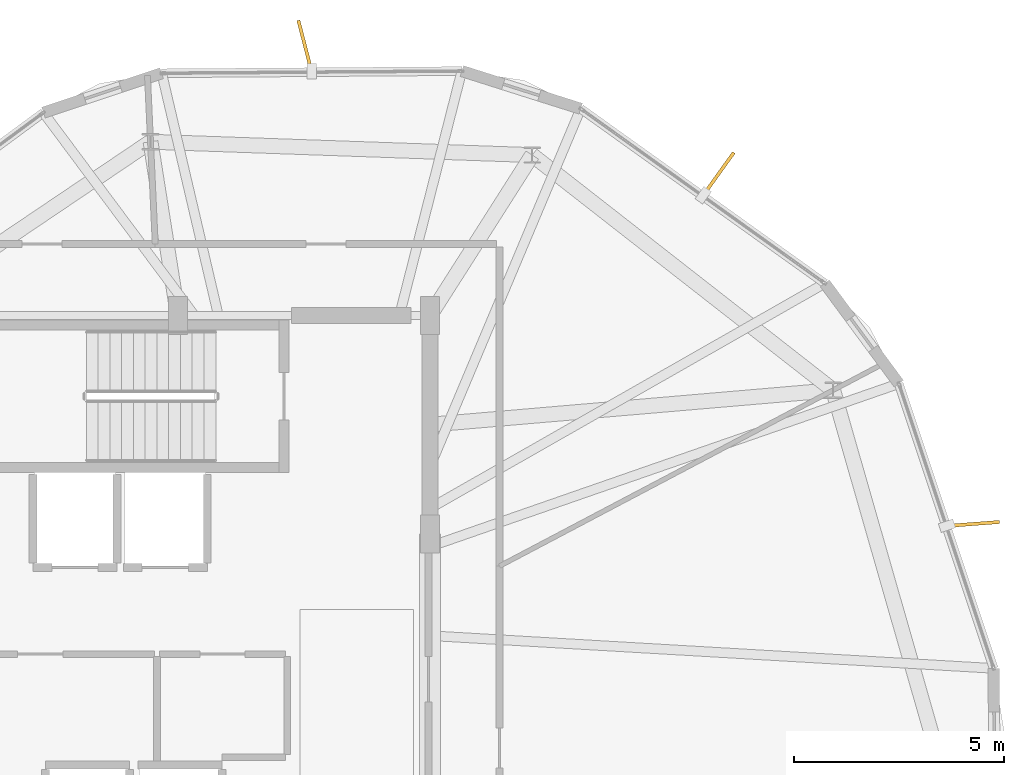
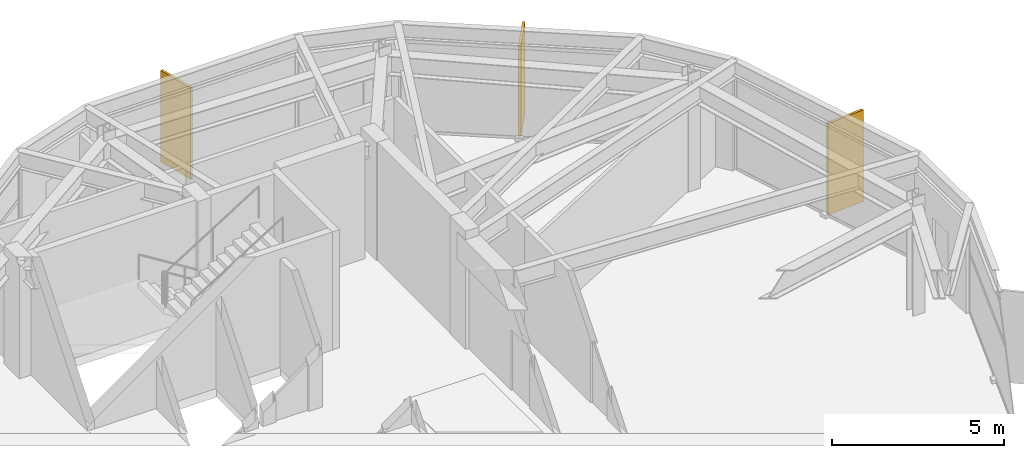
# One storey, part 22 of 22: 3 shading devices.
"""IFC4 building model written with IfcOpenShell, lengths in metres."""

from ifc_helpers import new_model, si_unit, direction, frame, origin, origin_2d, place, context, subcontext, project, spatial, rectangle, extrude, material, layer, layer_set, type_object, element, save


model = new_model("IFC4")

# Units and contexts
model_context = context("Model", 3, precision=1e-05, world=origin(), true_north=direction((0.0, 1.0)))
body_context = subcontext(model_context, "Body", "Model", "MODEL_VIEW")
ifc_project = project(units=[si_unit("LENGTHUNIT", "METRE"), si_unit("AREAUNIT", "SQUARE_METRE"), si_unit("VOLUMEUNIT", "CUBIC_METRE"), si_unit("PLANEANGLEUNIT", "RADIAN"), si_unit("MASSUNIT", "GRAM", prefix="KILO")], contexts=[model_context])

# Site, building, storey
site_placement = place(None, origin())
site = spatial("IfcSite", under=ifc_project, at=site_placement, CompositionType="ELEMENT")
building_placement = place(site_placement, origin())
building = spatial("IfcBuilding", under=site, at=building_placement, Name="Soratama Intermodal Tower", CompositionType="ELEMENT")
storey_placement = place(building_placement, frame((0.0, 0.0, 301.449951171875)))
storey = spatial("IfcBuildingStorey", under=building, at=storey_placement, Name="L76", CompositionType="ELEMENT", Elevation=301.449951171875)

# Shading devices
ifc_material = material(Name="Champagne anodised aluminium solar fin", Category="aluminium")
ifc_layer = layer(ifc_material, 0.080078125)
ifc_layer_set = layer_set([ifc_layer], Name="Champagne anodised aluminium solar fin")
shading_device_type = type_object("IfcShadingDeviceType", Name="SH-FIN-1250", PredefinedType="USERDEFINED", material=ifc_layer_set)
for number, where, z_axis, x_axis, name in (
    (1, (41.622314453125, 41.41162109375, 0.02001953125), (0.0, 0.0, 1.0), (-0.250886890629, 0.968016409009, 0.0), "L76 Solar Fin F01-1"),
    (2, (57.521728515625, 30.037109375, 0.02001953125), (0.0, 0.0, 1.0), (0.997172032081, 0.075152767322, 0.0), "L76 Solar Fin F09-1"),
    (3, (51.461181640625, 38.36474609375, 0.02001953125), (0.0, 0.0, 1.0), (0.581839108989, 0.813303910756, 0.0), "L76 Solar Fin F10-1"),
):
    element("IfcShadingDevice", number, at=place(storey_placement, frame(where, z_axis=z_axis, x_axis=x_axis)), inside=storey, type_object=shading_device_type, Name=name, ObjectType="FIN", PredefinedType="USERDEFINED", context=body_context, shape_type="SweptSolid", body=[
        extrude(rectangle(XDim=1.25, YDim=0.080078125, at=origin_2d()), origin(), (0.0, 0.0, 1.0), 3.25390625),
    ])

save(model, "model.ifc")
